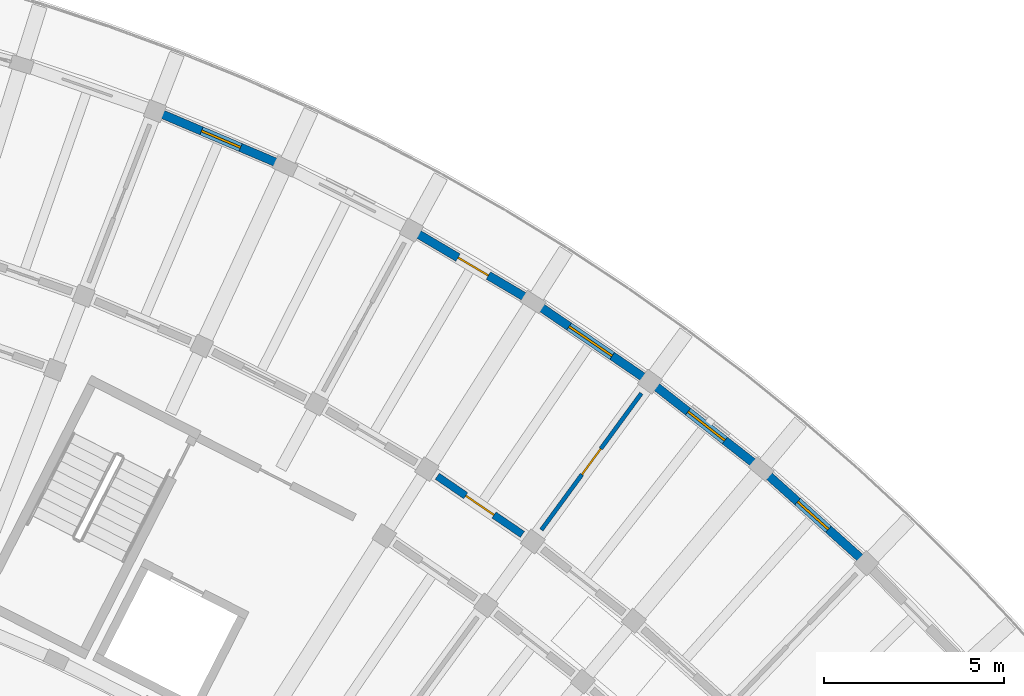
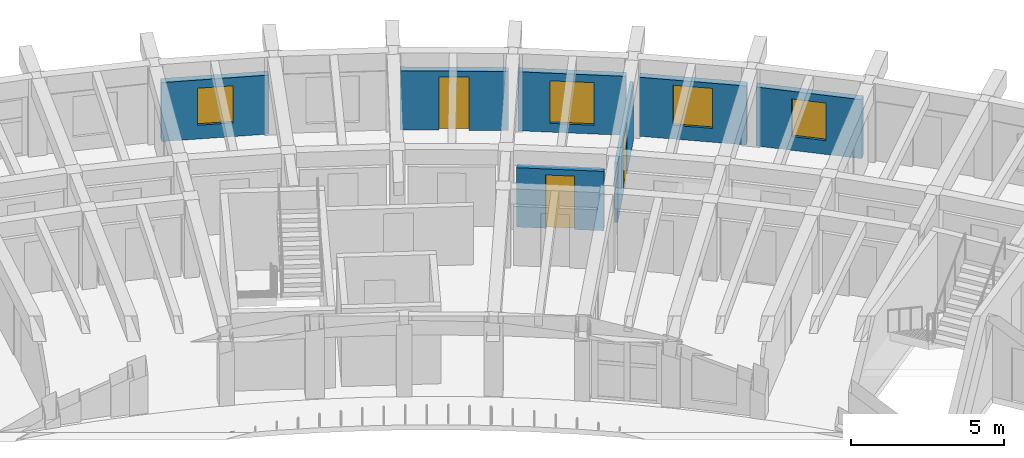
# One storey, part 58 of 83: 7 walls, 4 windows, 3 doors, 7 openings.
"""IFC4 building model written with IfcOpenShell, lengths in metres."""

from ifc_helpers import new_model, si_unit, direction, frame, frame_2d, origin, place, context, subcontext, project, spatial, rectangle, extrude, material, layer, layer_set, type_object, element, fill, save


model = new_model("IFC4")

# Units and contexts
model_context = context("Model", 3, precision=1e-05, world=origin(), true_north=direction((0.0, 1.0)))
body_context = subcontext(model_context, "Body", "Model", "MODEL_VIEW")
ifc_project = project(units=[si_unit("LENGTHUNIT", "METRE"), si_unit("AREAUNIT", "SQUARE_METRE"), si_unit("VOLUMEUNIT", "CUBIC_METRE"), si_unit("PLANEANGLEUNIT", "RADIAN"), si_unit("MASSUNIT", "GRAM", prefix="KILO")], contexts=[model_context])

# Site, building, storey
site_placement = place(None, origin())
site = spatial("IfcSite", under=ifc_project, at=site_placement, CompositionType="ELEMENT")
building_placement = place(site_placement, origin())
building = spatial("IfcBuilding", under=site, at=building_placement, Name="Tanwirah Colonnade Gardens", CompositionType="ELEMENT")
storey_placement = place(building_placement, frame((0.0, 0.0, 25.639892578125)))
storey = spatial("IfcBuildingStorey", under=building, at=storey_placement, Name="L07", CompositionType="ELEMENT", Elevation=25.639892578125)

# Wall, opening, window
ifc_material_1 = material(Name="Limestone architectural precast concrete C40/50", Category="masonry")
ifc_layer_1 = layer(ifc_material_1, 0.239990234375)
ifc_layer_set_1 = layer_set([ifc_layer_1], Name="Limestone architectural precast concrete C40/50")
wall_type_1 = type_object("IfcWallType", Name="EW-PC240", PredefinedType="SOLIDWALL", material=ifc_layer_set_1)
wall_1_placement = place(storey_placement, frame((162.03662109375, 103.34375, 0.0), z_axis=(0.0, 0.0, 1.0), x_axis=(-0.744419541982, 0.667712172658, 0.0)))
wall_1 = element("IfcWall", 1, at=wall_1_placement, inside=storey, type_object=wall_type_1, Name="Block B L07 OUT Precast Facade Wall 8", PredefinedType="SOLIDWALL", context=body_context, shape_type="SweptSolid", body=[
    extrude(rectangle(XDim=3.545654296875, YDim=0.239990234375, at=frame_2d((1.77294921875, 0.0))), origin(), (0.0, 0.0, 1.0), 2.355224609375),
])
opening_1_placement = place(wall_1_placement, frame((1.19775390625, 0.0, 0.550048828125)))
opening_1 = element("IfcOpeningElement", 2, at=opening_1_placement, cuts=wall_1, Name="Opening WIN-T01", PredefinedType="OPENING", context=body_context, shape_type="SweptSolid", body=[
    extrude(rectangle(XDim=1.14990234375, YDim=1.5, at=frame_2d((0.574951171875, 0.75))), frame((0.0, 0.1298828125, 0.0), z_axis=(0.0, -1.0, 0.0), x_axis=(1.0, 0.0, 0.0)), (0.0, 0.0, 1.0), 0.260009765625),
])
ifc_material_2 = material(Name="Thermally broken bronze aluminium and solar low-E double glazing", Category="aluminium")
window_type_1 = type_object("IfcWindowType", Name="WIN-T01", PartitioningType="SINGLE_PANEL", PredefinedType="WINDOW", material=ifc_material_2)
window_1_placement = place(opening_1_placement, origin())
window_1 = element("IfcWindow", 3, at=window_1_placement, inside=storey, type_object=window_type_1, Name="Facade window B-L07-OUT-08", OverallHeight=1.5, OverallWidth=1.14990234375, PartitioningType="SINGLE_PANEL", PredefinedType="WINDOW", context=body_context, shape_type="SweptSolid", body=[
    extrude(rectangle(XDim=1.14990234375, YDim=1.5, at=frame_2d((0.574951171875, 0.75))), frame((0.0, 0.030029296875, 0.0), z_axis=(0.0, -1.0, 0.0), x_axis=(1.0, 0.0, 0.0)), (0.0, 0.0, 1.0), 0.06005859375),
])
fill(opening_1, window_1)

wall_2_placement = place(storey_placement, frame((159.152099609375, 105.916748046875, 0.0), z_axis=(0.0, 0.0, 1.0), x_axis=(-0.786831781174, 0.617167520317, 0.0)))
wall_2 = element("IfcWall", 4, at=wall_2_placement, inside=storey, type_object=wall_type_1, Name="Block B L07 OUT Precast Facade Wall 9", PredefinedType="SOLIDWALL", context=body_context, shape_type="SweptSolid", body=[
    extrude(rectangle(XDim=3.545654296875, YDim=0.239990234375, at=frame_2d((1.77294921875, 0.0))), origin(), (0.0, 0.0, 1.0), 2.355224609375),
])
opening_2_placement = place(wall_2_placement, frame((1.122802734375, 0.0, 0.550048828125)))
opening_2 = element("IfcOpeningElement", 5, at=opening_2_placement, cuts=wall_2, Name="Opening WIN-T04", PredefinedType="OPENING", context=body_context, shape_type="SweptSolid", body=[
    extrude(rectangle(XDim=1.300048828125, YDim=1.60009765625, at=frame_2d((0.64990234375, 0.800048828125))), frame((0.0, 0.1298828125, 0.0), z_axis=(0.0, -1.0, 0.0), x_axis=(1.0, 0.0, 0.0)), (0.0, 0.0, 1.0), 0.260009765625),
])
window_type_2 = type_object("IfcWindowType", Name="WIN-T04", PartitioningType="DOUBLE_PANEL_VERTICAL", PredefinedType="WINDOW", material=ifc_material_2)
window_2_placement = place(opening_2_placement, origin())
window_2 = element("IfcWindow", 6, at=window_2_placement, inside=storey, type_object=window_type_2, Name="Facade window B-L07-OUT-09", OverallHeight=1.60009765625, OverallWidth=1.300048828125, PartitioningType="SINGLE_PANEL", PredefinedType="WINDOW", context=body_context, shape_type="SweptSolid", body=[
    extrude(rectangle(XDim=1.300048828125, YDim=1.60009765625, at=frame_2d((0.64990234375, 0.800048828125))), frame((0.0, 0.030029296875, 0.0), z_axis=(0.0, -1.0, 0.0), x_axis=(1.0, 0.0, 0.0)), (0.0, 0.0, 1.0), 0.06005859375),
])
fill(opening_2, window_2)

wall_3_placement = place(storey_placement, frame((156.007568359375, 108.364990234375, 0.0), z_axis=(0.0, 0.0, 1.0), x_axis=(-0.825779863852, 0.563992567732, 0.0)))
wall_3 = element("IfcWall", 7, at=wall_3_placement, inside=storey, type_object=wall_type_1, Name="Block B L07 OUT Precast Facade Wall 10", PredefinedType="SOLIDWALL", context=body_context, shape_type="SweptSolid", body=[
    extrude(rectangle(XDim=3.545654296875, YDim=0.239990234375, at=frame_2d((1.77294921875, 0.0))), origin(), (0.0, 0.0, 1.0), 2.355224609375),
])
opening_3_placement = place(wall_3_placement, frame((1.0478515625, 0.0, 0.35009765625)))
opening_3 = element("IfcOpeningElement", 8, at=opening_3_placement, cuts=wall_3, Name="Opening WIN-T07", PredefinedType="OPENING", context=body_context, shape_type="SweptSolid", body=[
    extrude(rectangle(XDim=1.449951171875, YDim=1.699951171875, at=frame_2d((0.72509765625, 0.85009765625))), frame((0.0, 0.1298828125, 0.0), z_axis=(0.0, -1.0, 0.0), x_axis=(1.0, 0.0, 0.0)), (0.0, 0.0, 1.0), 0.260009765625),
])
window_type_3 = type_object("IfcWindowType", Name="WIN-T07", PartitioningType="DOUBLE_PANEL_VERTICAL", PredefinedType="WINDOW", material=ifc_material_2)
window_3_placement = place(opening_3_placement, origin())
window_3 = element("IfcWindow", 9, at=window_3_placement, inside=storey, type_object=window_type_3, Name="Facade window B-L07-OUT-10", OverallHeight=1.699951171875, OverallWidth=1.449951171875, PartitioningType="SINGLE_PANEL", PredefinedType="WINDOW", context=body_context, shape_type="SweptSolid", body=[
    extrude(rectangle(XDim=1.449951171875, YDim=1.699951171875, at=frame_2d((0.72509765625, 0.85009765625))), frame((0.0, 0.030029296875, 0.0), z_axis=(0.0, -1.0, 0.0), x_axis=(1.0, 0.0, 0.0)), (0.0, 0.0, 1.0), 0.06005859375),
])
fill(opening_3, window_3)

# Wall, opening, door
wall_4_placement = place(storey_placement, frame((152.8095703125, 110.536376953125, 0.0), z_axis=(0.0, 0.0, 1.0), x_axis=(-0.861134821824, 0.50837665037, 0.0)))
wall_4 = element("IfcWall", 10, at=wall_4_placement, inside=storey, type_object=wall_type_1, Name="Block B L07 OUT Precast Facade Wall 11", PredefinedType="SOLIDWALL", context=body_context, shape_type="SweptSolid", body=[
    extrude(rectangle(XDim=3.545654296875, YDim=0.239990234375, at=frame_2d((1.77294921875, 0.0))), origin(), (0.0, 0.0, 1.0), 2.355224609375),
])
opening_4_placement = place(wall_4_placement, frame((1.28271484375, 0.0, 0.0)))
opening_4 = element("IfcOpeningElement", 11, at=opening_4_placement, cuts=wall_4, Name="Opening L07-ED100", PredefinedType="OPENING", context=body_context, shape_type="SweptSolid", body=[
    extrude(rectangle(XDim=0.97998046875, YDim=2.1201171875, at=frame_2d((0.489990234375, 1.06005859375))), frame((0.0, 0.1298828125, 0.0), z_axis=(0.0, -1.0, 0.0), x_axis=(1.0, 0.0, 0.0)), (0.0, 0.0, 1.0), 0.260009765625),
])
ifc_material_3 = material(Name="Bronze aluminium glazed balcony door", Category="aluminium")
door_type_1 = type_object("IfcDoorType", Name="ED-BAL098", OperationType="NOTDEFINED", PredefinedType="DOOR", material=ifc_material_3)
door_1_placement = place(opening_4_placement, origin())
door_1 = element("IfcDoor", 12, at=door_1_placement, inside=storey, type_object=door_type_1, Name="Balcony glazed door L07-ED100", OperationType="SINGLE_SWING_LEFT", OverallHeight=2.1201171875, OverallWidth=0.97998046875, PredefinedType="DOOR", context=body_context, shape_type="SweptSolid", body=[
    extrude(rectangle(XDim=0.97998046875, YDim=2.1201171875, at=frame_2d((0.489990234375, 1.06005859375))), frame((0.0, 0.02490234375, 0.0), z_axis=(0.0, -1.0, 0.0), x_axis=(1.0, 0.0, 0.0)), (0.0, 0.0, 1.0), 0.050048828125),
])
fill(opening_4, door_1)

# Wall, opening, window
wall_5_placement = place(storey_placement, frame((145.9150390625, 114.28173828125, 0.0), z_axis=(0.0, 0.0, 1.0), x_axis=(-0.920499995037, 0.390742574002, 0.0)))
wall_5 = element("IfcWall", 13, at=wall_5_placement, inside=storey, type_object=wall_type_1, Name="Block B L07 OUT Precast Facade Wall 13", PredefinedType="SOLIDWALL", context=body_context, shape_type="SweptSolid", body=[
    extrude(rectangle(XDim=3.5458984375, YDim=0.239990234375, at=frame_2d((1.77294921875, 0.0))), origin(), (0.0, 0.0, 1.0), 2.355224609375),
])
opening_5_placement = place(wall_5_placement, frame((1.182861328125, 0.0, 0.550048828125)))
opening_5 = element("IfcOpeningElement", 14, at=opening_5_placement, cuts=wall_5, Name="Opening WIN-T16", PredefinedType="OPENING", context=body_context, shape_type="SweptSolid", body=[
    extrude(rectangle(XDim=1.179931640625, YDim=1.47998046875, at=frame_2d((0.58984375, 0.739990234375))), frame((0.0, 0.1298828125, 0.0), z_axis=(0.0, -1.0, 0.0), x_axis=(1.0, 0.0, 0.0)), (0.0, 0.0, 1.0), 0.260009765625),
])
window_type_4 = type_object("IfcWindowType", Name="WIN-T16", PartitioningType="SINGLE_PANEL", PredefinedType="WINDOW", material=ifc_material_2)
window_4_placement = place(opening_5_placement, origin())
window_4 = element("IfcWindow", 15, at=window_4_placement, inside=storey, type_object=window_type_4, Name="Facade window B-L07-OUT-13", OverallHeight=1.47998046875, OverallWidth=1.179931640625, PartitioningType="SINGLE_PANEL", PredefinedType="WINDOW", context=body_context, shape_type="SweptSolid", body=[
    extrude(rectangle(XDim=1.179931640625, YDim=1.47998046875, at=frame_2d((0.58984375, 0.739990234375))), frame((0.0, 0.030029296875, 0.0), z_axis=(0.0, -1.0, 0.0), x_axis=(1.0, 0.0, 0.0)), (0.0, 0.0, 1.0), 0.06005859375),
])
fill(opening_5, window_4)

# Wall, opening, door
ifc_material_4 = material(Name="Precast concrete C40/50", Category="concrete")
ifc_layer_2 = layer(ifc_material_4, 0.205078125)
ifc_layer_set_2 = layer_set([ifc_layer_2], Name="Precast concrete C40/50")
wall_type_2 = type_object("IfcWallType", Name="IW-CORR205", PredefinedType="PARTITIONING", material=ifc_layer_set_2)
wall_6_placement = place(storey_placement, frame((152.650146484375, 104.001220703125, 0.0), z_axis=(0.0, 0.0, 1.0), x_axis=(-0.825779671787, 0.563992848947, 0.0)))
wall_6 = element("IfcWall", 16, at=wall_6_placement, inside=storey, type_object=wall_type_2, Name="Block B L07 OUT Corridor Wall 10", PredefinedType="PARTITIONING", context=body_context, shape_type="SweptSolid", body=[
    extrude(rectangle(XDim=2.863037109375, YDim=0.205078125, at=frame_2d((1.431640625, 0.0))), origin(), (0.0, 0.0, 1.0), 2.3701171875),
])
opening_6_placement = place(wall_6_placement, frame((0.95654296875, 0.0, 0.0)))
opening_6 = element("IfcOpeningElement", 17, at=opening_6_placement, cuts=wall_6, Name="Opening L07-AD1110", PredefinedType="OPENING", context=body_context, shape_type="SweptSolid", body=[
    extrude(rectangle(XDim=0.949951171875, YDim=2.1298828125, at=frame_2d((0.47509765625, 1.06494140625))), frame((0.0, 0.112548828125, 0.0), z_axis=(0.0, -1.0, 0.0), x_axis=(1.0, 0.0, 0.0)), (0.0, 0.0, 1.0), 0.22509765625),
])
ifc_material_5 = material(Name="Solid oak fire-resisting apartment entrance door")
door_type_2 = type_object("IfcDoorType", Name="ID-FLT095", OperationType="NOTDEFINED", PredefinedType="DOOR", material=ifc_material_5)
door_2_placement = place(opening_6_placement, origin())
door_2 = element("IfcDoor", 18, at=door_2_placement, inside=storey, type_object=door_type_2, Name="Apartment corridor door L07-AD1110", OperationType="SINGLE_SWING_RIGHT", OverallHeight=2.1298828125, OverallWidth=0.949951171875, PredefinedType="DOOR", context=body_context, shape_type="SweptSolid", body=[
    extrude(rectangle(XDim=0.949951171875, YDim=2.1298828125, at=frame_2d((0.47509765625, 1.06494140625))), frame((0.0, 0.02490234375, 0.0), z_axis=(0.0, -1.0, 0.0), x_axis=(1.0, 0.0, 0.0)), (0.0, 0.0, 1.0), 0.050048828125),
])
fill(opening_6, door_2)

ifc_material_6 = material(Name="Acoustic gypsum stud partition")
ifc_layer_3 = layer(ifc_material_6, 0.114990234375)
ifc_layer_set_3 = layer_set([ifc_layer_3], Name="Acoustic gypsum stud partition")
wall_type_3 = type_object("IfcWallType", Name="IW-INT115", PredefinedType="PARTITIONING", material=ifc_layer_set_3)
wall_7_placement = place(storey_placement, frame((153.175537109375, 104.12646484375, 0.0), z_axis=(0.0, 0.0, 1.0), x_axis=(0.590910940129, 0.806736797745, 0.0)))
wall_7 = element("IfcWall", 19, at=wall_7_placement, inside=storey, type_object=wall_type_3, Name="Block B L07 Radial Partition 9", PredefinedType="PARTITIONING", context=body_context, shape_type="SweptSolid", body=[
    extrude(rectangle(XDim=4.7001953125, YDim=0.114990234375, at=frame_2d((2.35009765625, 0.0))), origin(), (0.0, 0.0, 1.0), 2.3701171875),
])
opening_7_placement = place(wall_7_placement, frame((1.905029296875, 0.0, 0.0)))
opening_7 = element("IfcOpeningElement", 20, at=opening_7_placement, cuts=wall_7, Name="Opening L07-RD1108", PredefinedType="OPENING", context=body_context, shape_type="SweptSolid", body=[
    extrude(rectangle(XDim=0.889892578125, YDim=2.10009765625, at=frame_2d((0.44482421875, 1.050048828125))), frame((0.0, 0.0673828125, 0.0), z_axis=(0.0, -1.0, 0.0), x_axis=(1.0, 0.0, 0.0)), (0.0, 0.0, 1.0), 0.135009765625),
])
ifc_material_7 = material(Name="Painted hardwood bedroom door", Category="wood")
door_type_3 = type_object("IfcDoorType", Name="ID-RM089", OperationType="NOTDEFINED", PredefinedType="DOOR", material=ifc_material_7)
door_3_placement = place(opening_7_placement, origin())
door_3 = element("IfcDoor", 21, at=door_3_placement, inside=storey, type_object=door_type_3, Name="Internal apartment door L07-RD1108", OperationType="SINGLE_SWING_LEFT", OverallHeight=2.10009765625, OverallWidth=0.889892578125, PredefinedType="DOOR", context=body_context, shape_type="SweptSolid", body=[
    extrude(rectangle(XDim=0.889892578125, YDim=2.10009765625, at=frame_2d((0.44482421875, 1.050048828125))), frame((0.0, 0.02490234375, 0.0), z_axis=(0.0, -1.0, 0.0), x_axis=(1.0, 0.0, 0.0)), (0.0, 0.0, 1.0), 0.050048828125),
])
fill(opening_7, door_3)

save(model, "model.ifc")
